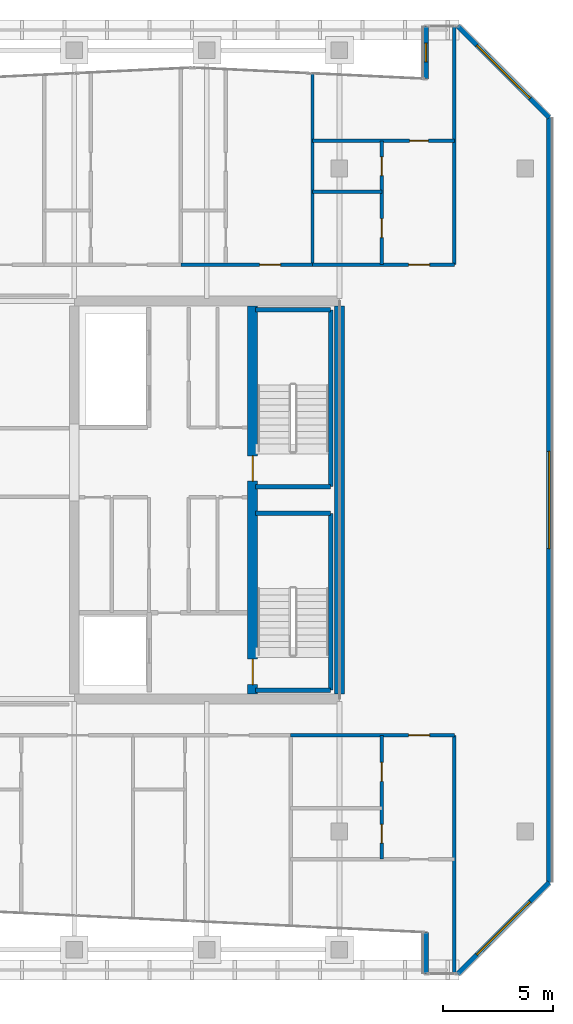
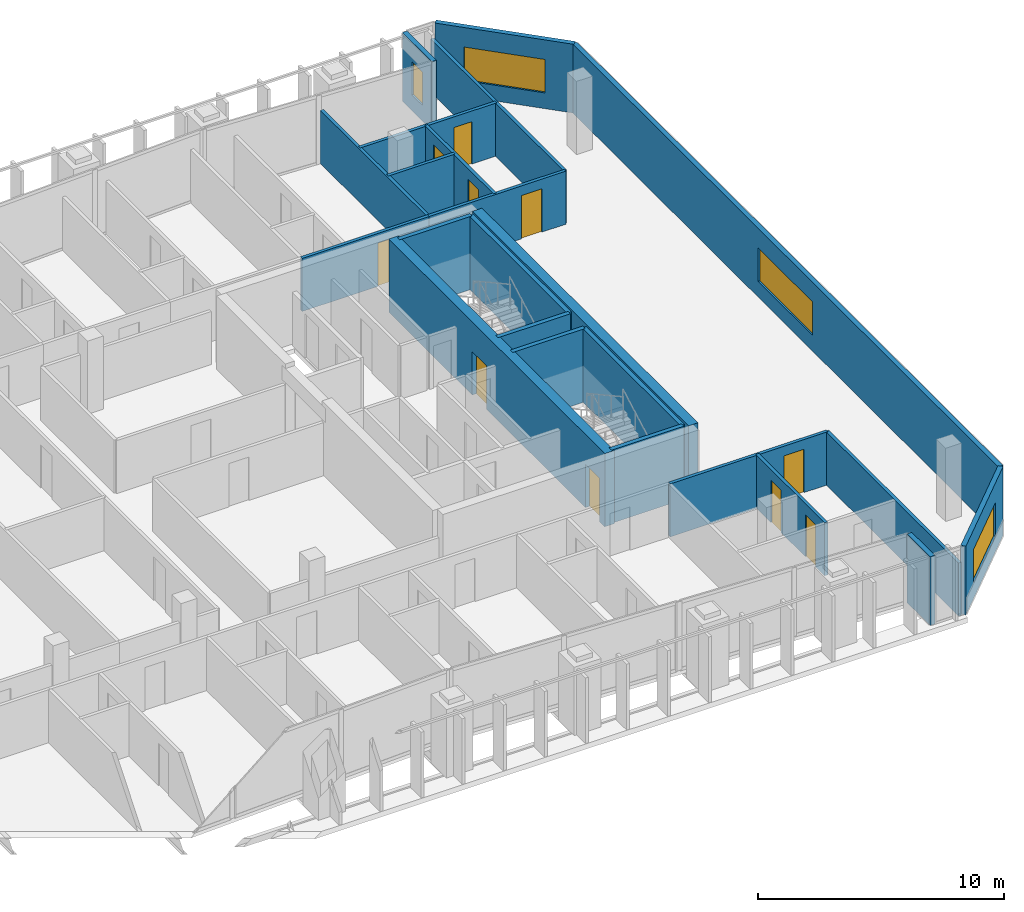
# One storey, part 26 of 32: 23 walls, 10 doors, 4 windows, 14 openings.
"""IFC4 building model written with IfcOpenShell, lengths in metres."""

from ifc_helpers import new_model, si_unit, direction, frame, frame_2d, origin, place, context, subcontext, project, spatial, rectangle, extrude, material, layer, layer_set, type_object, element, fill, save


model = new_model("IFC4")

# Units and contexts
model_context = context("Model", 3, precision=1e-05, world=origin(), true_north=direction((0.0, 1.0)))
body_context = subcontext(model_context, "Body", "Model", "MODEL_VIEW")
ifc_project = project(units=[si_unit("LENGTHUNIT", "METRE"), si_unit("AREAUNIT", "SQUARE_METRE"), si_unit("VOLUMEUNIT", "CUBIC_METRE"), si_unit("PLANEANGLEUNIT", "RADIAN"), si_unit("MASSUNIT", "GRAM", prefix="KILO")], contexts=[model_context])

# Site, building, storey
site_placement = place(None, origin())
site = spatial("IfcSite", under=ifc_project, at=site_placement, CompositionType="ELEMENT")
building_placement = place(site_placement, origin())
building = spatial("IfcBuilding", under=site, at=building_placement, Name="Tanjung Sevakor Pilgrim Tower", CompositionType="ELEMENT")
storey_placement = place(building_placement, frame((0.0, 0.0, 211.860107421875)))
storey = spatial("IfcBuildingStorey", under=building, at=storey_placement, Name="L59", CompositionType="ELEMENT", Elevation=211.860107421875)

# Wall
ifc_material_1 = material(Name="Concrete C60/75", Category="concrete")
ifc_layer_1 = layer(ifc_material_1, 0.449951171875)
ifc_layer_set_1 = layer_set([ifc_layer_1], Name="WALL-CW-450")
wall_type_1 = type_object("IfcWallType", Name="WALL-CW-450", PredefinedType="SHEAR", material=ifc_layer_set_1)
wall_1_placement = place(storey_placement, frame((90.0, 24.824951171875, 0.0), z_axis=(0.0, 0.0, 1.0), x_axis=(0.0, 1.0, 0.0)))
element("IfcWall", 1, at=wall_1_placement, inside=storey, type_object=wall_type_1, Name="L59 E Core Outer Shear Wall", PredefinedType="SHEAR", context=body_context, shape_type="SweptSolid", body=[
    extrude(rectangle(XDim=17.550048828125, YDim=0.449951171875, at=frame_2d((8.77490234375, 0.0))), origin(), (0.0, 0.0, 1.0), 3.6298828125),
])

# Wall, openings, doors
wall_2_placement = place(storey_placement, frame((86.074951171875, 24.824951171875, 0.0), z_axis=(0.0, 0.0, 1.0), x_axis=(0.0, 1.0, 0.0)))
wall_2 = element("IfcWall", 2, at=wall_2_placement, inside=storey, type_object=wall_type_1, Name="L59 E Core Stair Spine Wall", PredefinedType="SHEAR", context=body_context, shape_type="SweptSolid", body=[
    extrude(rectangle(XDim=17.550048828125, YDim=0.449951171875, at=frame_2d((8.77490234375, 0.0))), origin(), (0.0, 0.0, 1.0), 3.6298828125),
])
opening_1_placement = place(wall_2_placement, frame((0.425048828125, 0.0, 0.0)))
opening_1 = element("IfcOpeningElement", 3, at=opening_1_placement, cuts=wall_2, Name="Opening ID-ST1", PredefinedType="OPENING", context=body_context, shape_type="SweptSolid", body=[
    extrude(rectangle(XDim=1.14990234375, YDim=2.14990234375, at=frame_2d((0.574951171875, 1.074951171875))), frame((0.0, 0.23486328125, 0.0), z_axis=(0.0, -1.0, 0.0), x_axis=(1.0, 0.0, 0.0)), (0.0, 0.0, 1.0), 0.469970703125),
])
opening_2_placement = place(wall_2_placement, frame((9.625, 0.0, 0.0)))
opening_2 = element("IfcOpeningElement", 4, at=opening_2_placement, cuts=wall_2, Name="Opening ID-ST1", PredefinedType="OPENING", context=body_context, shape_type="SweptSolid", body=[
    extrude(rectangle(XDim=1.14990234375, YDim=2.14990234375, at=frame_2d((0.574951171875, 1.074951171875))), frame((0.0, 0.23486328125, 0.0), z_axis=(0.0, -1.0, 0.0), x_axis=(1.0, 0.0, 0.0)), (0.0, 0.0, 1.0), 0.469970703125),
])
ifc_material_2 = material(Name="Fire-Rated Steel S355J2", Category="steel")
door_type_1 = type_object("IfcDoorType", Name="DT-FIRE-1150", OperationType="NOTDEFINED", PredefinedType="DOOR", material=ifc_material_2)
door_1_placement = place(opening_1_placement, origin())
door_1 = element("IfcDoor", 5, at=door_1_placement, inside=storey, type_object=door_type_1, Name="L59 TS-E1 Stair Fire Door", OperationType="SINGLE_SWING_RIGHT", OverallHeight=2.14990234375, OverallWidth=1.14990234375, PredefinedType="DOOR", context=body_context, shape_type="SweptSolid", body=[
    extrude(rectangle(XDim=1.14990234375, YDim=2.14990234375, at=frame_2d((0.574951171875, 1.074951171875))), frame((0.0, 0.02490234375, 0.0), z_axis=(0.0, -1.0, 0.0), x_axis=(1.0, 0.0, 0.0)), (0.0, 0.0, 1.0), 0.050048828125),
])
fill(opening_1, door_1)
door_2_placement = place(opening_2_placement, origin())
door_2 = element("IfcDoor", 6, at=door_2_placement, inside=storey, type_object=door_type_1, Name="L59 TS-E2 Stair Fire Door", OperationType="SINGLE_SWING_LEFT", OverallHeight=2.14990234375, OverallWidth=1.14990234375, PredefinedType="DOOR", context=body_context, shape_type="SweptSolid", body=[
    extrude(rectangle(XDim=1.14990234375, YDim=2.14990234375, at=frame_2d((0.574951171875, 1.074951171875))), frame((0.0, 0.02490234375, 0.0), z_axis=(0.0, -1.0, 0.0), x_axis=(1.0, 0.0, 0.0)), (0.0, 0.0, 1.0), 0.050048828125),
])
fill(opening_2, door_2)

# Wall
ifc_material_3 = material(Name="Concrete C40/50", Category="concrete")
ifc_layer_2 = layer(ifc_material_3, 0.14990234375)
ifc_layer_set_2 = layer_set([ifc_layer_2], Name="WT-COMP-150")
wall_type_2 = type_object("IfcWallType", Name="WT-COMP-150", PredefinedType="SOLIDWALL", material=ifc_layer_set_2)
wall_3_placement = place(storey_placement, frame((95.199951171875, 12.159912109375, 0.0), z_axis=(0.0, 0.0, 1.0), x_axis=(0.0, 1.0, 0.0)))
element("IfcWall", 7, at=wall_3_placement, inside=storey, type_object=wall_type_2, Name="L59 Partition IW-L59-077", PredefinedType="SOLIDWALL", context=body_context, shape_type="SweptSolid", body=[
    extrude(rectangle(XDim=10.7900390625, YDim=0.14990234375, at=frame_2d((5.39501953125, 0.0))), origin(), (0.0, 0.0, 1.0), 2.6298828125),
])

# Wall, opening, door
wall_4_placement = place(storey_placement, frame((87.79150390625, 22.949951171875, 0.0), z_axis=(0.0, 0.0, 1.0), x_axis=(1.0, 0.0, 0.0)))
wall_4 = element("IfcWall", 8, at=wall_4_placement, inside=storey, type_object=wall_type_2, Name="L59 Partition IW-L59-099", PredefinedType="SOLIDWALL", context=body_context, shape_type="SweptSolid", body=[
    extrude(rectangle(XDim=7.408447265625, YDim=0.14990234375, at=frame_2d((3.7041015625, 0.0))), origin(), (0.0, 0.0, 1.0), 2.6298828125),
])
opening_3_placement = place(wall_4_placement, frame((5.33349609375, 0.0, 0.0)))
opening_3 = element("IfcOpeningElement", 9, at=opening_3_placement, cuts=wall_4, Name="Opening ID-FD2", PredefinedType="OPENING", context=body_context, shape_type="SweptSolid", body=[
    extrude(rectangle(XDim=0.949951171875, YDim=2.14990234375, at=frame_2d((0.47509765625, 1.074951171875))), frame((0.0, 0.0849609375, 0.0), z_axis=(0.0, -1.0, 0.0), x_axis=(1.0, 0.0, 0.0)), (0.0, 0.0, 1.0), 0.169921875),
])
ifc_material_4 = material(Name="Fire-Rated Timber", Category="wood")
door_type_2 = type_object("IfcDoorType", Name="DT-FIRE-950", OperationType="NOTDEFINED", PredefinedType="DOOR", material=ifc_material_4)
door_3_placement = place(opening_3_placement, origin())
door_3 = element("IfcDoor", 10, at=door_3_placement, inside=storey, type_object=door_type_2, Name="Residence Entrance", OperationType="SINGLE_SWING_LEFT", OverallHeight=2.14990234375, OverallWidth=0.949951171875, PredefinedType="DOOR", context=body_context, shape_type="SweptSolid", body=[
    extrude(rectangle(XDim=0.949951171875, YDim=2.14990234375, at=frame_2d((0.47509765625, 1.074951171875))), frame((0.0, 0.02490234375, 0.0), z_axis=(0.0, -1.0, 0.0), x_axis=(1.0, 0.0, 0.0)), (0.0, 0.0, 1.0), 0.050048828125),
])
fill(opening_3, door_3)

# Walls
wall_5_placement = place(storey_placement, frame((95.199951171875, 44.25, 0.0), z_axis=(0.0, 0.0, 1.0), x_axis=(0.0, 1.0, 0.0)))
element("IfcWall", 11, at=wall_5_placement, inside=storey, type_object=wall_type_2, Name="L59 Partition IW-L59-110", PredefinedType="SOLIDWALL", context=body_context, shape_type="SweptSolid", body=[
    extrude(rectangle(XDim=10.7900390625, YDim=0.14990234375, at=frame_2d((5.39501953125, 0.0))), origin(), (0.0, 0.0, 1.0), 2.6298828125),
])
wall_6_placement = place(storey_placement, frame((88.783935546875, 44.25, 0.0), z_axis=(0.0, 0.0, 1.0), x_axis=(0.0, 1.0, 0.0)))
element("IfcWall", 12, at=wall_6_placement, inside=storey, type_object=wall_type_2, Name="L59 Partition IW-L59-129", PredefinedType="SOLIDWALL", context=body_context, shape_type="SweptSolid", body=[
    extrude(rectangle(XDim=8.64990234375, YDim=0.14990234375, at=frame_2d((4.324951171875, 0.0))), origin(), (0.0, 0.0, 1.0), 2.6298828125),
])

# Wall, opening, door
wall_7_placement = place(storey_placement, frame((82.825927734375, 44.25, 0.0), z_axis=(0.0, 0.0, 1.0), x_axis=(1.0, 0.0, 0.0)))
wall_7 = element("IfcWall", 13, at=wall_7_placement, inside=storey, type_object=wall_type_2, Name="L59 Partition IW-L59-132", PredefinedType="SOLIDWALL", context=body_context, shape_type="SweptSolid", body=[
    extrude(rectangle(XDim=5.9580078125, YDim=0.14990234375, at=frame_2d((2.97900390625, 0.0))), origin(), (0.0, 0.0, 1.0), 2.6298828125),
])
opening_4_placement = place(wall_7_placement, frame((3.556884765625, 0.0, 0.0)))
opening_4 = element("IfcOpeningElement", 14, at=opening_4_placement, cuts=wall_7, Name="Opening ID-FD2", PredefinedType="OPENING", context=body_context, shape_type="SweptSolid", body=[
    extrude(rectangle(XDim=0.949951171875, YDim=2.14990234375, at=frame_2d((0.47509765625, 1.074951171875))), frame((0.0, 0.0849609375, 0.0), z_axis=(0.0, -1.0, 0.0), x_axis=(1.0, 0.0, 0.0)), (0.0, 0.0, 1.0), 0.169921875),
])
door_4_placement = place(opening_4_placement, origin())
door_4 = element("IfcDoor", 15, at=door_4_placement, inside=storey, type_object=door_type_2, Name="Hostel Quad Entrance", OperationType="SINGLE_SWING_LEFT", OverallHeight=2.14990234375, OverallWidth=0.949951171875, PredefinedType="DOOR", context=body_context, shape_type="SweptSolid", body=[
    extrude(rectangle(XDim=0.949951171875, YDim=2.14990234375, at=frame_2d((0.47509765625, 1.074951171875))), frame((0.0, 0.02490234375, 0.0), z_axis=(0.0, -1.0, 0.0), x_axis=(1.0, 0.0, 0.0)), (0.0, 0.0, 1.0), 0.050048828125),
])
fill(opening_4, door_4)

wall_8_placement = place(storey_placement, frame((88.783935546875, 44.25, 0.0), z_axis=(0.0, 0.0, 1.0), x_axis=(1.0, 0.0, 0.0)))
wall_8 = element("IfcWall", 16, at=wall_8_placement, inside=storey, type_object=wall_type_2, Name="L59 Partition IW-L59-136", PredefinedType="SOLIDWALL", context=body_context, shape_type="SweptSolid", body=[
    extrude(rectangle(XDim=6.416015625, YDim=0.14990234375, at=frame_2d((3.2080078125, 0.0))), origin(), (0.0, 0.0, 1.0), 2.6298828125),
])
opening_5_placement = place(wall_8_placement, frame((4.341064453125, 0.0, 0.0)))
opening_5 = element("IfcOpeningElement", 17, at=opening_5_placement, cuts=wall_8, Name="Opening ID-FD2", PredefinedType="OPENING", context=body_context, shape_type="SweptSolid", body=[
    extrude(rectangle(XDim=0.949951171875, YDim=2.14990234375, at=frame_2d((0.47509765625, 1.074951171875))), frame((0.0, 0.0849609375, 0.0), z_axis=(0.0, -1.0, 0.0), x_axis=(1.0, 0.0, 0.0)), (0.0, 0.0, 1.0), 0.169921875),
])
door_5_placement = place(opening_5_placement, origin())
door_5 = element("IfcDoor", 18, at=door_5_placement, inside=storey, type_object=door_type_2, Name="Residence Entrance", OperationType="SINGLE_SWING_LEFT", OverallHeight=2.14990234375, OverallWidth=0.949951171875, PredefinedType="DOOR", context=body_context, shape_type="SweptSolid", body=[
    extrude(rectangle(XDim=0.949951171875, YDim=2.14990234375, at=frame_2d((0.47509765625, 1.074951171875))), frame((0.0, 0.02490234375, 0.0), z_axis=(0.0, -1.0, 0.0), x_axis=(1.0, 0.0, 0.0)), (0.0, 0.0, 1.0), 0.050048828125),
])
fill(opening_5, door_5)

# Wall
ifc_material_5 = material(Name="Precast concrete C45/55", Category="concrete")
ifc_layer_3 = layer(ifc_material_5, 0.219970703125)
ifc_layer_set_3 = layer_set([ifc_layer_3], Name="WT-EW-STN4")
wall_type_3 = type_object("IfcWallType", Name="WT-EW-STN4", PredefinedType="SOLIDWALL", material=ifc_layer_set_3)
wall_9_placement = place(storey_placement, frame((93.909912109375, 14.034912109375, 0.0), z_axis=(0.0, 0.0, 1.0), x_axis=(0.0, -1.0, 0.0)))
element("IfcWall", 19, at=wall_9_placement, inside=storey, type_object=wall_type_3, Name="L59 MAIN Exterior Wall 14", PredefinedType="SOLIDWALL", context=body_context, shape_type="SweptSolid", body=[
    extrude(rectangle(XDim=1.875, YDim=0.219970703125, at=frame_2d((0.9375, 0.0))), origin(), (0.0, 0.0, 1.0), 3.409912109375),
])

# Wall, opening, window
wall_10_placement = place(storey_placement, frame((95.3544921875, 12.159912109375, 0.0), z_axis=(0.0, 0.0, 1.0), x_axis=(0.707085909342, 0.707127652415, 0.0)))
wall_10 = element("IfcWall", 20, at=wall_10_placement, inside=storey, type_object=wall_type_3, Name="L59 MAIN Sculpted Corner Wall 15", PredefinedType="SOLIDWALL", context=body_context, shape_type="SweptSolid", body=[
    extrude(rectangle(XDim=5.8486328125, YDim=0.219970703125, at=frame_2d((2.92431640625, 0.0))), origin(), (0.0, 0.0, 1.0), 3.409912109375),
])
opening_6_placement = place(wall_10_placement, frame((1.224365234375, 0.0, 0.780029296875)))
opening_6 = element("IfcOpeningElement", 21, at=opening_6_placement, cuts=wall_10, Name="Opening WN-CHM-1660", PredefinedType="OPENING", context=body_context, shape_type="SweptSolid", body=[
    extrude(rectangle(XDim=3.39990234375, YDim=1.659912109375, at=frame_2d((1.699951171875, 0.830078125))), frame((0.0, 0.119873046875, 0.0), z_axis=(0.0, -1.0, 0.0), x_axis=(1.0, 0.0, 0.0)), (0.0, 0.0, 1.0), 0.239990234375),
])
ifc_material_6 = material(Name="Thermally Broken Aluminium and Low-E Glass", Category="aluminium")
window_type_1 = type_object("IfcWindowType", Name="WTYP-WN-CHM-1660", PartitioningType="DOUBLE_PANEL_VERTICAL", PredefinedType="WINDOW", material=ifc_material_6)
window_1_placement = place(opening_6_placement, origin())
window_1 = element("IfcWindow", 22, at=window_1_placement, inside=storey, type_object=window_type_1, Name="L59 Facade Window 01", OverallHeight=1.659912109375, OverallWidth=3.39990234375, PartitioningType="SINGLE_PANEL", PredefinedType="WINDOW", context=body_context, shape_type="SweptSolid", body=[
    extrude(rectangle(XDim=3.39990234375, YDim=1.659912109375, at=frame_2d((1.699951171875, 0.830078125))), frame((0.0, 0.030029296875, 0.0), z_axis=(0.0, -1.0, 0.0), x_axis=(1.0, 0.0, 0.0)), (0.0, 0.0, 1.0), 0.06005859375),
])
fill(opening_6, window_1)

wall_11_placement = place(storey_placement, frame((99.489990234375, 16.295654296875, 0.0), z_axis=(0.0, 0.0, 1.0), x_axis=(0.0, 1.0, 0.0)))
wall_11 = element("IfcWall", 23, at=wall_11_placement, inside=storey, type_object=wall_type_3, Name="L59 MAIN Exterior Wall 17", PredefinedType="SOLIDWALL", context=body_context, shape_type="SweptSolid", body=[
    extrude(rectangle(XDim=34.608642578125, YDim=0.219970703125, at=frame_2d((17.30419921875, 0.0))), origin(), (0.0, 0.0, 1.0), 3.409912109375),
])
opening_7_placement = place(wall_11_placement, frame((15.1044921875, 0.0, 0.780029296875)))
opening_7 = element("IfcOpeningElement", 24, at=opening_7_placement, cuts=wall_11, Name="Opening WN-ENDW-1660", PredefinedType="OPENING", context=body_context, shape_type="SweptSolid", body=[
    extrude(rectangle(XDim=4.39990234375, YDim=1.659912109375, at=frame_2d((2.199951171875, 0.830078125))), frame((0.0, 0.119873046875, 0.0), z_axis=(0.0, -1.0, 0.0), x_axis=(1.0, 0.0, 0.0)), (0.0, 0.0, 1.0), 0.239990234375),
])
ifc_material_7 = material(Name="Thermally Broken Aluminium and Low-E Glass", Category="aluminium")
window_type_2 = type_object("IfcWindowType", Name="WTYP-WN-ENDW-1660", PartitioningType="DOUBLE_PANEL_VERTICAL", PredefinedType="WINDOW", material=ifc_material_7)
window_2_placement = place(opening_7_placement, origin())
window_2 = element("IfcWindow", 25, at=window_2_placement, inside=storey, type_object=window_type_2, Name="L59 Facade Window 01", OverallHeight=1.659912109375, OverallWidth=4.39990234375, PartitioningType="SINGLE_PANEL", PredefinedType="WINDOW", context=body_context, shape_type="SweptSolid", body=[
    extrude(rectangle(XDim=4.39990234375, YDim=1.659912109375, at=frame_2d((2.199951171875, 0.830078125))), frame((0.0, 0.030029296875, 0.0), z_axis=(0.0, -1.0, 0.0), x_axis=(1.0, 0.0, 0.0)), (0.0, 0.0, 1.0), 0.06005859375),
])
fill(opening_7, window_2)

wall_12_placement = place(storey_placement, frame((99.489990234375, 50.904296875, 0.0), z_axis=(0.0, 0.0, 1.0), x_axis=(-0.707085909342, 0.707127652415, 0.0)))
wall_12 = element("IfcWall", 26, at=wall_12_placement, inside=storey, type_object=wall_type_3, Name="L59 MAIN Sculpted Corner Wall 17", PredefinedType="SOLIDWALL", context=body_context, shape_type="SweptSolid", body=[
    extrude(rectangle(XDim=5.8486328125, YDim=0.219970703125, at=frame_2d((2.92431640625, 0.0))), origin(), (0.0, 0.0, 1.0), 3.409912109375),
])
opening_8_placement = place(wall_12_placement, frame((1.224365234375, 0.0, 0.780029296875)))
opening_8 = element("IfcOpeningElement", 27, at=opening_8_placement, cuts=wall_12, Name="Opening WN-CHM-1660", PredefinedType="OPENING", context=body_context, shape_type="SweptSolid", body=[
    extrude(rectangle(XDim=3.39990234375, YDim=1.659912109375, at=frame_2d((1.699951171875, 0.830078125))), frame((0.0, 0.119873046875, 0.0), z_axis=(0.0, -1.0, 0.0), x_axis=(1.0, 0.0, 0.0)), (0.0, 0.0, 1.0), 0.239990234375),
])
window_3_placement = place(opening_8_placement, origin())
window_3 = element("IfcWindow", 28, at=window_3_placement, inside=storey, type_object=window_type_1, Name="L59 Facade Window 01", OverallHeight=1.659912109375, OverallWidth=3.39990234375, PartitioningType="SINGLE_PANEL", PredefinedType="WINDOW", context=body_context, shape_type="SweptSolid", body=[
    extrude(rectangle(XDim=3.39990234375, YDim=1.659912109375, at=frame_2d((1.699951171875, 0.830078125))), frame((0.0, 0.030029296875, 0.0), z_axis=(0.0, -1.0, 0.0), x_axis=(1.0, 0.0, 0.0)), (0.0, 0.0, 1.0), 0.06005859375),
])
fill(opening_8, window_3)

wall_13_placement = place(storey_placement, frame((93.909912109375, 55.0400390625, 0.0), z_axis=(0.0, 0.0, 1.0), x_axis=(0.0, -1.0, 0.0)))
wall_13 = element("IfcWall", 29, at=wall_13_placement, inside=storey, type_object=wall_type_3, Name="L59 MAIN Exterior Wall 20", PredefinedType="SOLIDWALL", context=body_context, shape_type="SweptSolid", body=[
    extrude(rectangle(XDim=2.385498046875, YDim=0.219970703125, at=frame_2d((1.19287109375, 0.0))), origin(), (0.0, 0.0, 1.0), 3.409912109375),
])
opening_9_placement = place(wall_13_placement, frame((0.767578125, 0.0, 0.780029296875)))
opening_9 = element("IfcOpeningElement", 30, at=opening_9_placement, cuts=wall_13, Name="Opening WN-SLM", PredefinedType="OPENING", context=body_context, shape_type="SweptSolid", body=[
    extrude(rectangle(XDim=0.85009765625, YDim=1.64990234375, at=frame_2d((0.425048828125, 0.824951171875))), frame((0.0, 0.119873046875, 0.0), z_axis=(0.0, -1.0, 0.0), x_axis=(1.0, 0.0, 0.0)), (0.0, 0.0, 1.0), 0.239990234375),
])
ifc_material_8 = material(Name="Thermally Broken Aluminium and Low-E Glass", Category="aluminium")
window_type_3 = type_object("IfcWindowType", Name="WTYP-WN-SLM", PartitioningType="SINGLE_PANEL", PredefinedType="WINDOW", material=ifc_material_8)
window_4_placement = place(opening_9_placement, origin())
window_4 = element("IfcWindow", 31, at=window_4_placement, inside=storey, type_object=window_type_3, Name="L59 Facade Window 01", OverallHeight=1.64990234375, OverallWidth=0.85009765625, PartitioningType="SINGLE_PANEL", PredefinedType="WINDOW", context=body_context, shape_type="SweptSolid", body=[
    extrude(rectangle(XDim=0.85009765625, YDim=1.64990234375, at=frame_2d((0.425048828125, 0.824951171875))), frame((0.0, 0.030029296875, 0.0), z_axis=(0.0, -1.0, 0.0), x_axis=(1.0, 0.0, 0.0)), (0.0, 0.0, 1.0), 0.06005859375),
])
fill(opening_9, window_4)

# Walls
ifc_material_9 = material(Name="Concrete C40/50", Category="concrete")
ifc_layer_4 = layer(ifc_material_9, 0.199951171875)
ifc_layer_set_4 = layer_set([ifc_layer_4], Name="WT-FIRE-200")
wall_type_4 = type_object("IfcWallType", Name="WT-FIRE-200", PredefinedType="SOLIDWALL", material=ifc_layer_set_4)
wall_14_placement = place(storey_placement, frame((86.199951171875, 25.0, 0.0), z_axis=(0.0, 0.0, 1.0), x_axis=(1.0, 0.0, 0.0)))
element("IfcWall", 32, at=wall_14_placement, inside=storey, type_object=wall_type_4, Name="L59 TS-E1 Shaft Wall 1", PredefinedType="SOLIDWALL", context=body_context, shape_type="SweptSolid", body=[
    extrude(rectangle(XDim=3.400146484375, YDim=0.199951171875, at=frame_2d((1.7001953125, 0.0))), origin(), (0.0, 0.0, 1.0), 3.6298828125),
])
wall_15_placement = place(storey_placement, frame((89.60009765625, 25.0, 0.0), z_axis=(0.0, 0.0, 1.0), x_axis=(0.0, 1.0, 0.0)))
element("IfcWall", 33, at=wall_15_placement, inside=storey, type_object=wall_type_4, Name="L59 TS-E1 Shaft Wall 2", PredefinedType="SOLIDWALL", context=body_context, shape_type="SweptSolid", body=[
    extrude(rectangle(XDim=8.0, YDim=0.199951171875, at=frame_2d((4.0, 0.0))), origin(), (0.0, 0.0, 1.0), 3.6298828125),
])
for number, where, z_axis, x_axis, name in (
    (34, (89.60009765625, 33.0, 0.0), (0.0, 0.0, 1.0), (-1.0, 0.0, 0.0), "L59 TS-E1 Shaft Wall 3"),
    (35, (86.199951171875, 34.199951171875, 0.0), (0.0, 0.0, 1.0), (1.0, 0.0, 0.0), "L59 TS-E2 Shaft Wall 1"),
):
    element("IfcWall", number, at=place(storey_placement, frame(where, z_axis=z_axis, x_axis=x_axis)), inside=storey, type_object=wall_type_4, Name=name, PredefinedType="SOLIDWALL", context=body_context, shape_type="SweptSolid", body=[
        extrude(rectangle(XDim=3.400146484375, YDim=0.199951171875, at=frame_2d((1.7001953125, 0.0))), origin(), (0.0, 0.0, 1.0), 3.6298828125),
    ])
wall_16_placement = place(storey_placement, frame((89.60009765625, 34.199951171875, 0.0), z_axis=(0.0, 0.0, 1.0), x_axis=(0.0, 1.0, 0.0)))
element("IfcWall", 36, at=wall_16_placement, inside=storey, type_object=wall_type_4, Name="L59 TS-E2 Shaft Wall 2", PredefinedType="SOLIDWALL", context=body_context, shape_type="SweptSolid", body=[
    extrude(rectangle(XDim=8.0, YDim=0.199951171875, at=frame_2d((4.0, 0.0))), origin(), (0.0, 0.0, 1.0), 3.6298828125),
])
wall_17_placement = place(storey_placement, frame((89.60009765625, 42.199951171875, 0.0), z_axis=(0.0, 0.0, 1.0), x_axis=(-1.0, 0.0, 0.0)))
element("IfcWall", 37, at=wall_17_placement, inside=storey, type_object=wall_type_4, Name="L59 TS-E2 Shaft Wall 3", PredefinedType="SOLIDWALL", context=body_context, shape_type="SweptSolid", body=[
    extrude(rectangle(XDim=3.400146484375, YDim=0.199951171875, at=frame_2d((1.7001953125, 0.0))), origin(), (0.0, 0.0, 1.0), 3.6298828125),
])

# Wall, openings, doors
ifc_material_10 = material(Name="Gypsum Board Partition", Category="gypsum board")
ifc_layer_5 = layer(ifc_material_10, 0.14990234375)
ifc_layer_set_5 = layer_set([ifc_layer_5], Name="WT-PART-150")
wall_type_5 = type_object("IfcWallType", Name="WT-PART-150", PredefinedType="PARTITIONING", material=ifc_layer_set_5)
wall_18_placement = place(storey_placement, frame((91.919921875, 17.35009765625, 0.0), z_axis=(0.0, 0.0, 1.0), x_axis=(0.0, 1.0, 0.0)))
wall_18 = element("IfcWall", 38, at=wall_18_placement, inside=storey, type_object=wall_type_5, Name="L59 Partition IW-L59-097", PredefinedType="PARTITIONING", context=body_context, shape_type="SweptSolid", body=[
    extrude(rectangle(XDim=5.599853515625, YDim=0.14990234375, at=frame_2d((2.7998046875, 0.0))), origin(), (0.0, 0.0, 1.0), 2.6298828125),
])
opening_10_placement = place(wall_18_placement, frame((0.722900390625, 0.0, 0.0)))
opening_10 = element("IfcOpeningElement", 39, at=opening_10_placement, cuts=wall_18, Name="Opening ID-WC1", PredefinedType="OPENING", context=body_context, shape_type="SweptSolid", body=[
    extrude(rectangle(XDim=0.85009765625, YDim=2.10009765625, at=frame_2d((0.425048828125, 1.050048828125))), frame((0.0, 0.0849609375, 0.0), z_axis=(0.0, -1.0, 0.0), x_axis=(1.0, 0.0, 0.0)), (0.0, 0.0, 1.0), 0.169921875),
])
opening_11_placement = place(wall_18_placement, frame((3.52294921875, 0.0, 0.0)))
opening_11 = element("IfcOpeningElement", 40, at=opening_11_placement, cuts=wall_18, Name="Opening ID-WC1", PredefinedType="OPENING", context=body_context, shape_type="SweptSolid", body=[
    extrude(rectangle(XDim=0.85009765625, YDim=2.10009765625, at=frame_2d((0.425048828125, 1.050048828125))), frame((0.0, 0.0849609375, 0.0), z_axis=(0.0, -1.0, 0.0), x_axis=(1.0, 0.0, 0.0)), (0.0, 0.0, 1.0), 0.169921875),
])
ifc_material_11 = material(Name="Moisture-Resistant Timber", Category="wood")
door_type_3 = type_object("IfcDoorType", Name="DT-INT-850", OperationType="NOTDEFINED", PredefinedType="DOOR", material=ifc_material_11)
door_6_placement = place(opening_10_placement, origin())
door_6 = element("IfcDoor", 41, at=door_6_placement, inside=storey, type_object=door_type_3, Name="Residence Bathroom Door", OperationType="SINGLE_SWING_RIGHT", OverallHeight=2.10009765625, OverallWidth=0.85009765625, PredefinedType="DOOR", context=body_context, shape_type="SweptSolid", body=[
    extrude(rectangle(XDim=0.85009765625, YDim=2.10009765625, at=frame_2d((0.425048828125, 1.050048828125))), frame((0.0, 0.02490234375, 0.0), z_axis=(0.0, -1.0, 0.0), x_axis=(1.0, 0.0, 0.0)), (0.0, 0.0, 1.0), 0.050048828125),
])
fill(opening_10, door_6)
door_7_placement = place(opening_11_placement, origin())
door_7 = element("IfcDoor", 42, at=door_7_placement, inside=storey, type_object=door_type_3, Name="Residence Kitchenette Door", OperationType="SINGLE_SWING_LEFT", OverallHeight=2.10009765625, OverallWidth=0.85009765625, PredefinedType="DOOR", context=body_context, shape_type="SweptSolid", body=[
    extrude(rectangle(XDim=0.85009765625, YDim=2.10009765625, at=frame_2d((0.425048828125, 1.050048828125))), frame((0.0, 0.02490234375, 0.0), z_axis=(0.0, -1.0, 0.0), x_axis=(1.0, 0.0, 0.0)), (0.0, 0.0, 1.0), 0.050048828125),
])
fill(opening_11, door_7)

# Wall
wall_19_placement = place(storey_placement, frame((88.783935546875, 47.553955078125, 0.0), z_axis=(0.0, 0.0, 1.0), x_axis=(1.0, 0.0, 0.0)))
element("IfcWall", 43, at=wall_19_placement, inside=storey, type_object=wall_type_5, Name="L59 Partition IW-L59-133", PredefinedType="PARTITIONING", context=body_context, shape_type="SweptSolid", body=[
    extrude(rectangle(XDim=3.135986328125, YDim=0.14990234375, at=frame_2d((1.56787109375, 0.0))), origin(), (0.0, 0.0, 1.0), 2.6298828125),
])

# Wall, openings, doors
wall_20_placement = place(storey_placement, frame((91.919921875, 44.25, 0.0), z_axis=(0.0, 0.0, 1.0), x_axis=(0.0, 1.0, 0.0)))
wall_20 = element("IfcWall", 44, at=wall_20_placement, inside=storey, type_object=wall_type_5, Name="L59 Partition IW-L59-134", PredefinedType="PARTITIONING", context=body_context, shape_type="SweptSolid", body=[
    extrude(rectangle(XDim=5.60009765625, YDim=0.14990234375, at=frame_2d((2.800048828125, 0.0))), origin(), (0.0, 0.0, 1.0), 2.6298828125),
])
opening_12_placement = place(wall_20_placement, frame((1.22705078125, 0.0, 0.0)))
opening_12 = element("IfcOpeningElement", 45, at=opening_12_placement, cuts=wall_20, Name="Opening ID-WC1", PredefinedType="OPENING", context=body_context, shape_type="SweptSolid", body=[
    extrude(rectangle(XDim=0.85009765625, YDim=2.10009765625, at=frame_2d((0.425048828125, 1.050048828125))), frame((0.0, 0.0849609375, 0.0), z_axis=(0.0, -1.0, 0.0), x_axis=(1.0, 0.0, 0.0)), (0.0, 0.0, 1.0), 0.169921875),
])
opening_13_placement = place(wall_20_placement, frame((4.027099609375, 0.0, 0.0)))
opening_13 = element("IfcOpeningElement", 46, at=opening_13_placement, cuts=wall_20, Name="Opening ID-WC1", PredefinedType="OPENING", context=body_context, shape_type="SweptSolid", body=[
    extrude(rectangle(XDim=0.85009765625, YDim=2.10009765625, at=frame_2d((0.425048828125, 1.050048828125))), frame((0.0, 0.0849609375, 0.0), z_axis=(0.0, -1.0, 0.0), x_axis=(1.0, 0.0, 0.0)), (0.0, 0.0, 1.0), 0.169921875),
])
door_8_placement = place(opening_12_placement, origin())
door_8 = element("IfcDoor", 47, at=door_8_placement, inside=storey, type_object=door_type_3, Name="Residence Kitchenette Door", OperationType="SINGLE_SWING_RIGHT", OverallHeight=2.10009765625, OverallWidth=0.85009765625, PredefinedType="DOOR", context=body_context, shape_type="SweptSolid", body=[
    extrude(rectangle(XDim=0.85009765625, YDim=2.10009765625, at=frame_2d((0.425048828125, 1.050048828125))), frame((0.0, 0.02490234375, 0.0), z_axis=(0.0, -1.0, 0.0), x_axis=(1.0, 0.0, 0.0)), (0.0, 0.0, 1.0), 0.050048828125),
])
fill(opening_12, door_8)
door_9_placement = place(opening_13_placement, origin())
door_9 = element("IfcDoor", 48, at=door_9_placement, inside=storey, type_object=door_type_3, Name="Residence Bathroom Door", OperationType="SINGLE_SWING_LEFT", OverallHeight=2.10009765625, OverallWidth=0.85009765625, PredefinedType="DOOR", context=body_context, shape_type="SweptSolid", body=[
    extrude(rectangle(XDim=0.85009765625, YDim=2.10009765625, at=frame_2d((0.425048828125, 1.050048828125))), frame((0.0, 0.02490234375, 0.0), z_axis=(0.0, -1.0, 0.0), x_axis=(1.0, 0.0, 0.0)), (0.0, 0.0, 1.0), 0.050048828125),
])
fill(opening_13, door_9)

# Wall, opening, door
wall_21_placement = place(storey_placement, frame((88.783935546875, 49.85009765625, 0.0), z_axis=(0.0, 0.0, 1.0), x_axis=(1.0, 0.0, 0.0)))
wall_21 = element("IfcWall", 49, at=wall_21_placement, inside=storey, type_object=wall_type_5, Name="L59 Partition IW-L59-135", PredefinedType="PARTITIONING", context=body_context, shape_type="SweptSolid", body=[
    extrude(rectangle(XDim=6.416015625, YDim=0.14990234375, at=frame_2d((3.2080078125, 0.0))), origin(), (0.0, 0.0, 1.0), 2.6298828125),
])
opening_14_placement = place(wall_21_placement, frame((4.39111328125, 0.0, 0.0)))
opening_14 = element("IfcOpeningElement", 50, at=opening_14_placement, cuts=wall_21, Name="Opening ID-WC1", PredefinedType="OPENING", context=body_context, shape_type="SweptSolid", body=[
    extrude(rectangle(XDim=0.85009765625, YDim=2.10009765625, at=frame_2d((0.425048828125, 1.050048828125))), frame((0.0, 0.0849609375, 0.0), z_axis=(0.0, -1.0, 0.0), x_axis=(1.0, 0.0, 0.0)), (0.0, 0.0, 1.0), 0.169921875),
])
door_10_placement = place(opening_14_placement, origin())
door_10 = element("IfcDoor", 51, at=door_10_placement, inside=storey, type_object=door_type_3, Name="Residence Bedroom Door", OperationType="SINGLE_SWING_RIGHT", OverallHeight=2.10009765625, OverallWidth=0.85009765625, PredefinedType="DOOR", context=body_context, shape_type="SweptSolid", body=[
    extrude(rectangle(XDim=0.85009765625, YDim=2.10009765625, at=frame_2d((0.425048828125, 1.050048828125))), frame((0.0, 0.02490234375, 0.0), z_axis=(0.0, -1.0, 0.0), x_axis=(1.0, 0.0, 0.0)), (0.0, 0.0, 1.0), 0.050048828125),
])
fill(opening_14, door_10)

save(model, "model.ifc")
